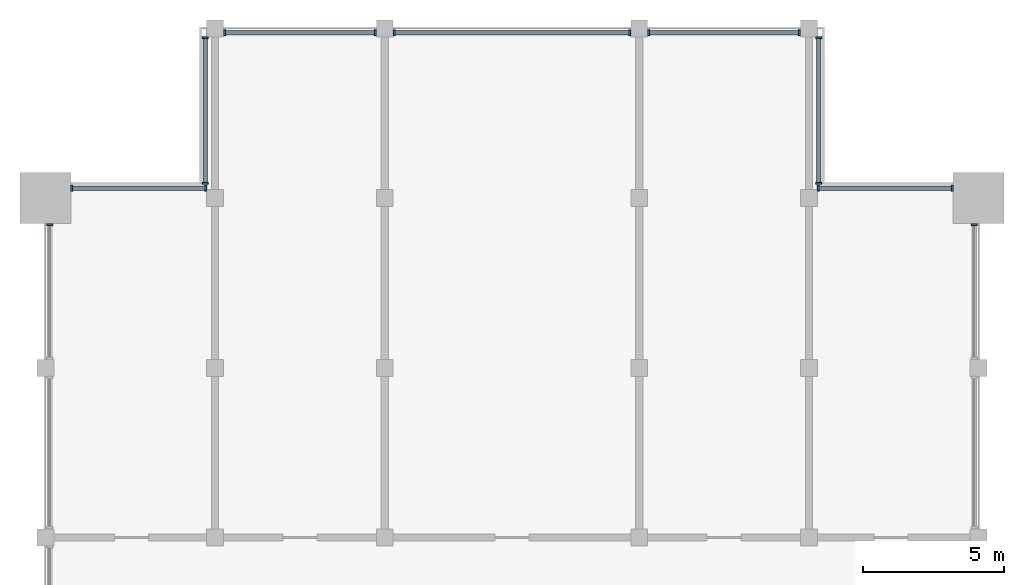
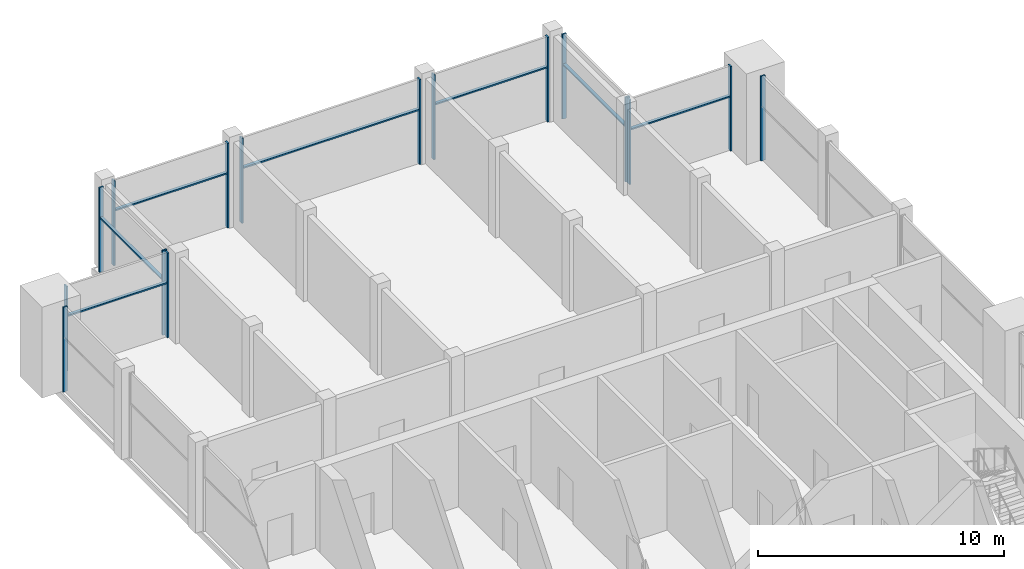
# One storey, part 5 of 9: 23 members, 9 elements without a shape of their own.
"""IFC4 building model written with IfcOpenShell, lengths in metres."""

from ifc_helpers import new_model, si_unit, direction, frame, origin, origin_2d, place, context, subcontext, project, spatial, rectangle, extrude, material, material_profile, profile_set, type_object, element, aggregate, save


model = new_model("IFC4")

# Units and contexts
model_context = context("Model", 3, precision=1e-05, world=origin(), true_north=direction((0.0, 1.0)))
body_context = subcontext(model_context, "Body", "Model", "MODEL_VIEW")
ifc_project = project(units=[si_unit("LENGTHUNIT", "METRE"), si_unit("AREAUNIT", "SQUARE_METRE"), si_unit("VOLUMEUNIT", "CUBIC_METRE"), si_unit("PLANEANGLEUNIT", "RADIAN"), si_unit("MASSUNIT", "GRAM", prefix="KILO")], contexts=[model_context])

# Site, building, storey
site_placement = place(None, origin())
site = spatial("IfcSite", under=ifc_project, at=site_placement, CompositionType="ELEMENT")
building_placement = place(site_placement, origin())
building = spatial("IfcBuilding", under=site, at=building_placement, Name="Finial Court Residences", CompositionType="ELEMENT")
storey_placement = place(building_placement, frame((0.0, 0.0, 303.199951171875)))
storey = spatial("IfcBuildingStorey", under=building, at=storey_placement, Name="L77", CompositionType="ELEMENT", Elevation=303.199951171875)

# Curtain wall, members
ifc_material = material(Name="Bronze anodised aluminium", Category="aluminium")
curtain_wall_type = type_object("IfcCurtainWallType", Name="Crown lantern glazing", PredefinedType="NOTDEFINED", material=ifc_material)
curtain_wall_1_placement = place(storey_placement, origin())
curtain_wall_1 = element("IfcCurtainWall", 1, at=curtain_wall_1_placement, inside=storey, type_object=curtain_wall_type, Name="E-L77-CW-N1c1", PredefinedType="NOTDEFINED")
ifc_material_profile_1 = material_profile(ifc_material, rectangle(XDim=0.199951171875, YDim=0.070068359375, at=origin_2d()), Name="CW6 mullion 70 x 200")
ifc_profile_set_1 = profile_set([ifc_material_profile_1], Name="Bronze anodised aluminium")
member_type_1 = type_object("IfcMemberType", Name="CW6 mullion 70 x 200", PredefinedType="MULLION", material=ifc_profile_set_1)
member_1_placement = place(storey_placement, frame((-10.1650390625, 13.35009765625, 0.0), z_axis=(0.0, 0.0, 1.0), x_axis=(0.0, 1.0, 0.0)))
member_1 = element("IfcMember", 2, at=member_1_placement, type_object=member_type_1, Name="CW6 mullion 1", PredefinedType="MULLION", context=body_context, shape_type="SweptSolid", body=[
    extrude(rectangle(XDim=0.199951171875, YDim=0.070068359375, at=origin_2d()), origin(), (0.0, 0.0, 1.0), 4.199951171875),
])
member_2_placement = place(storey_placement, frame((-4.8349609375, 13.35009765625, 0.0), z_axis=(0.0, 0.0, 1.0), x_axis=(0.0, 1.0, 0.0)))
member_2 = element("IfcMember", 3, at=member_2_placement, type_object=member_type_1, Name="CW6 mullion 2", PredefinedType="MULLION", context=body_context, shape_type="SweptSolid", body=[
    extrude(rectangle(XDim=0.199951171875, YDim=0.070068359375, at=origin_2d()), origin(), (0.0, 0.0, 1.0), 4.199951171875),
])

curtain_wall_2_placement = place(storey_placement, origin())
curtain_wall_2 = element("IfcCurtainWall", 4, at=curtain_wall_2_placement, inside=storey, type_object=curtain_wall_type, Name="E-L77-CW-N1c2", PredefinedType="NOTDEFINED")
member_3_placement = place(storey_placement, frame((-4.1650390625, 13.35009765625, 0.0), z_axis=(0.0, 0.0, 1.0), x_axis=(0.0, 1.0, 0.0)))
member_3 = element("IfcMember", 5, at=member_3_placement, type_object=member_type_1, Name="CW6 mullion 1", PredefinedType="MULLION", context=body_context, shape_type="SweptSolid", body=[
    extrude(rectangle(XDim=0.199951171875, YDim=0.070068359375, at=origin_2d()), origin(), (0.0, 0.0, 1.0), 4.199951171875),
])
member_4_placement = place(storey_placement, frame((4.1650390625, 13.35009765625, 0.0), z_axis=(0.0, 0.0, 1.0), x_axis=(0.0, 1.0, 0.0)))
member_4 = element("IfcMember", 6, at=member_4_placement, type_object=member_type_1, Name="CW6 mullion 2", PredefinedType="MULLION", context=body_context, shape_type="SweptSolid", body=[
    extrude(rectangle(XDim=0.199951171875, YDim=0.070068359375, at=origin_2d()), origin(), (0.0, 0.0, 1.0), 4.199951171875),
])

curtain_wall_3_placement = place(storey_placement, origin())
curtain_wall_3 = element("IfcCurtainWall", 7, at=curtain_wall_3_placement, inside=storey, type_object=curtain_wall_type, Name="E-L77-CW-N1c3", PredefinedType="NOTDEFINED")
member_5_placement = place(storey_placement, frame((4.8349609375, 13.35009765625, 0.0), z_axis=(0.0, 0.0, 1.0), x_axis=(0.0, 1.0, 0.0)))
member_5 = element("IfcMember", 8, at=member_5_placement, type_object=member_type_1, Name="CW6 mullion 1", PredefinedType="MULLION", context=body_context, shape_type="SweptSolid", body=[
    extrude(rectangle(XDim=0.199951171875, YDim=0.070068359375, at=origin_2d()), origin(), (0.0, 0.0, 1.0), 4.199951171875),
])
member_6_placement = place(storey_placement, frame((10.1650390625, 13.35009765625, 0.0), z_axis=(0.0, 0.0, 1.0), x_axis=(0.0, 1.0, 0.0)))
member_6 = element("IfcMember", 9, at=member_6_placement, type_object=member_type_1, Name="CW6 mullion 2", PredefinedType="MULLION", context=body_context, shape_type="SweptSolid", body=[
    extrude(rectangle(XDim=0.199951171875, YDim=0.070068359375, at=origin_2d()), origin(), (0.0, 0.0, 1.0), 4.199951171875),
])

# Curtain wall, member
curtain_wall_4_placement = place(storey_placement, origin())
curtain_wall_4 = element("IfcCurtainWall", 10, at=curtain_wall_4_placement, inside=storey, type_object=curtain_wall_type, Name="E-L77-CW-E2c4", PredefinedType="NOTDEFINED")
member_7_placement = place(storey_placement, frame((16.35009765625, 6.56494140625, 0.0), z_axis=(0.0, 0.0, 1.0), x_axis=(-1.0, 0.0, 0.0)))
member_7 = element("IfcMember", 11, at=member_7_placement, type_object=member_type_1, Name="CW6 mullion 2", PredefinedType="MULLION", context=body_context, shape_type="SweptSolid", body=[
    extrude(rectangle(XDim=0.199951171875, YDim=0.070068359375, at=origin_2d()), origin(), (0.0, 0.0, 1.0), 4.199951171875),
])
aggregate(curtain_wall_4, [member_7])

curtain_wall_5_placement = place(storey_placement, origin())
curtain_wall_5 = element("IfcCurtainWall", 12, at=curtain_wall_5_placement, inside=storey, type_object=curtain_wall_type, Name="E-L77-CW-W5c4", PredefinedType="NOTDEFINED")
member_8_placement = place(storey_placement, frame((-16.35009765625, 6.56494140625, 0.0), z_axis=(0.0, 0.0, 1.0), x_axis=(-1.0, 0.0, 0.0)))
member_8 = element("IfcMember", 13, at=member_8_placement, type_object=member_type_1, Name="CW6 mullion 2", PredefinedType="MULLION", context=body_context, shape_type="SweptSolid", body=[
    extrude(rectangle(XDim=0.199951171875, YDim=0.070068359375, at=origin_2d()), origin(), (0.0, 0.0, 1.0), 4.199951171875),
])
aggregate(curtain_wall_5, [member_8])

# Curtain wall, members
curtain_wall_6_placement = place(storey_placement, origin())
curtain_wall_6 = element("IfcCurtainWall", 14, at=curtain_wall_6_placement, inside=storey, type_object=curtain_wall_type, Name="E-L77-CW-W6nc1", PredefinedType="NOTDEFINED")
member_9_placement = place(storey_placement, frame((-10.85009765625, 8.034912109375, 0.0), z_axis=(0.0, 0.0, 1.0), x_axis=(-1.0, 0.0, 0.0)))
member_9 = element("IfcMember", 15, at=member_9_placement, type_object=member_type_1, Name="CW6 mullion 1", PredefinedType="MULLION", context=body_context, shape_type="SweptSolid", body=[
    extrude(rectangle(XDim=0.199951171875, YDim=0.070068359375, at=origin_2d()), origin(), (0.0, 0.0, 1.0), 4.199951171875),
])
member_10_placement = place(storey_placement, frame((-10.85009765625, 13.1650390625, 0.0), z_axis=(0.0, 0.0, 1.0), x_axis=(-1.0, 0.0, 0.0)))
member_10 = element("IfcMember", 16, at=member_10_placement, type_object=member_type_1, Name="CW6 mullion 2", PredefinedType="MULLION", context=body_context, shape_type="SweptSolid", body=[
    extrude(rectangle(XDim=0.199951171875, YDim=0.070068359375, at=origin_2d()), origin(), (0.0, 0.0, 1.0), 4.199951171875),
])

curtain_wall_7_placement = place(storey_placement, origin())
curtain_wall_7 = element("IfcCurtainWall", 17, at=curtain_wall_7_placement, inside=storey, type_object=curtain_wall_type, Name="E-L77-CW-N7nc1", PredefinedType="NOTDEFINED")
member_11_placement = place(storey_placement, frame((-15.56494140625, 7.85009765625, 0.0), z_axis=(0.0, 0.0, 1.0), x_axis=(0.0, 1.0, 0.0)))
member_11 = element("IfcMember", 18, at=member_11_placement, type_object=member_type_1, Name="CW6 mullion 1", PredefinedType="MULLION", context=body_context, shape_type="SweptSolid", body=[
    extrude(rectangle(XDim=0.199951171875, YDim=0.070068359375, at=origin_2d()), origin(), (0.0, 0.0, 1.0), 4.199951171875),
])
member_12_placement = place(storey_placement, frame((-10.8349609375, 7.85009765625, 0.0), z_axis=(0.0, 0.0, 1.0), x_axis=(0.0, 1.0, 0.0)))
member_12 = element("IfcMember", 19, at=member_12_placement, type_object=member_type_1, Name="CW6 mullion 2", PredefinedType="MULLION", context=body_context, shape_type="SweptSolid", body=[
    extrude(rectangle(XDim=0.199951171875, YDim=0.070068359375, at=origin_2d()), origin(), (0.0, 0.0, 1.0), 4.199951171875),
])

curtain_wall_8_placement = place(storey_placement, origin())
curtain_wall_8 = element("IfcCurtainWall", 20, at=curtain_wall_8_placement, inside=storey, type_object=curtain_wall_type, Name="E-L77-CW-E8nc1", PredefinedType="NOTDEFINED")
member_13_placement = place(storey_placement, frame((10.85009765625, 8.034912109375, 0.0), z_axis=(0.0, 0.0, 1.0), x_axis=(-1.0, 0.0, 0.0)))
member_13 = element("IfcMember", 21, at=member_13_placement, type_object=member_type_1, Name="CW6 mullion 1", PredefinedType="MULLION", context=body_context, shape_type="SweptSolid", body=[
    extrude(rectangle(XDim=0.199951171875, YDim=0.070068359375, at=origin_2d()), origin(), (0.0, 0.0, 1.0), 4.199951171875),
])
member_14_placement = place(storey_placement, frame((10.85009765625, 13.1650390625, 0.0), z_axis=(0.0, 0.0, 1.0), x_axis=(-1.0, 0.0, 0.0)))
member_14 = element("IfcMember", 22, at=member_14_placement, type_object=member_type_1, Name="CW6 mullion 2", PredefinedType="MULLION", context=body_context, shape_type="SweptSolid", body=[
    extrude(rectangle(XDim=0.199951171875, YDim=0.070068359375, at=origin_2d()), origin(), (0.0, 0.0, 1.0), 4.199951171875),
])

curtain_wall_9_placement = place(storey_placement, origin())
curtain_wall_9 = element("IfcCurtainWall", 23, at=curtain_wall_9_placement, inside=storey, type_object=curtain_wall_type, Name="E-L77-CW-N9nc1", PredefinedType="NOTDEFINED")
member_15_placement = place(storey_placement, frame((10.8349609375, 7.85009765625, 0.0), z_axis=(0.0, 0.0, 1.0), x_axis=(0.0, 1.0, 0.0)))
member_15 = element("IfcMember", 24, at=member_15_placement, type_object=member_type_1, Name="CW6 mullion 1", PredefinedType="MULLION", context=body_context, shape_type="SweptSolid", body=[
    extrude(rectangle(XDim=0.199951171875, YDim=0.070068359375, at=origin_2d()), origin(), (0.0, 0.0, 1.0), 4.199951171875),
])
member_16_placement = place(storey_placement, frame((15.56494140625, 7.85009765625, 0.0), z_axis=(0.0, 0.0, 1.0), x_axis=(0.0, 1.0, 0.0)))
member_16 = element("IfcMember", 25, at=member_16_placement, type_object=member_type_1, Name="CW6 mullion 2", PredefinedType="MULLION", context=body_context, shape_type="SweptSolid", body=[
    extrude(rectangle(XDim=0.199951171875, YDim=0.070068359375, at=origin_2d()), origin(), (0.0, 0.0, 1.0), 4.199951171875),
])

# Member
ifc_material_profile_2 = material_profile(ifc_material, rectangle(XDim=0.14990234375, YDim=0.070068359375, at=origin_2d()), Name="CW6 transom 70 x 150")
ifc_profile_set_2 = profile_set([ifc_material_profile_2], Name="Bronze anodised aluminium")
member_type_2 = type_object("IfcMemberType", Name="CW6 transom 70 x 150", PredefinedType="USERDEFINED", material=ifc_profile_set_2)
member_17_placement = place(storey_placement, frame((-10.1298828125, 13.35009765625, 2.699951171875), z_axis=(1.0, 0.0, 0.0), x_axis=(0.0, 1.0, 0.0)))
member_17 = element("IfcMember", 26, at=member_17_placement, type_object=member_type_2, Name="CW6 transom 1.1", ObjectType="TRANSOM", PredefinedType="USERDEFINED", context=body_context, shape_type="SweptSolid", body=[
    extrude(rectangle(XDim=0.14990234375, YDim=0.070068359375, at=origin_2d()), origin(), (0.0, 0.0, 1.0), 5.259765625),
])

aggregate(curtain_wall_1, [member_1, member_2, member_17])

member_18_placement = place(storey_placement, frame((-4.1298828125, 13.35009765625, 2.699951171875), z_axis=(1.0, 0.0, 0.0), x_axis=(0.0, 1.0, 0.0)))
member_18 = element("IfcMember", 27, at=member_18_placement, type_object=member_type_2, Name="CW6 transom 1.1", ObjectType="TRANSOM", PredefinedType="USERDEFINED", context=body_context, shape_type="SweptSolid", body=[
    extrude(rectangle(XDim=0.14990234375, YDim=0.070068359375, at=origin_2d()), origin(), (0.0, 0.0, 1.0), 8.259765625),
])

aggregate(curtain_wall_2, [member_3, member_4, member_18])

member_19_placement = place(storey_placement, frame((4.8701171875, 13.35009765625, 2.699951171875), z_axis=(1.0, 0.0, 0.0), x_axis=(0.0, 1.0, 0.0)))
member_19 = element("IfcMember", 28, at=member_19_placement, type_object=member_type_2, Name="CW6 transom 1.1", ObjectType="TRANSOM", PredefinedType="USERDEFINED", context=body_context, shape_type="SweptSolid", body=[
    extrude(rectangle(XDim=0.14990234375, YDim=0.070068359375, at=origin_2d()), origin(), (0.0, 0.0, 1.0), 5.259765625),
])

aggregate(curtain_wall_3, [member_5, member_6, member_19])

member_20_placement = place(storey_placement, frame((-10.85009765625, 8.070068359375, 2.699951171875), z_axis=(0.0, 1.0, 0.0), x_axis=(-1.0, 0.0, 0.0)))
member_20 = element("IfcMember", 29, at=member_20_placement, type_object=member_type_2, Name="CW6 transom 1.1", ObjectType="TRANSOM", PredefinedType="USERDEFINED", context=body_context, shape_type="SweptSolid", body=[
    extrude(rectangle(XDim=0.14990234375, YDim=0.070068359375, at=origin_2d()), origin(), (0.0, 0.0, 1.0), 5.059814453125),
])

aggregate(curtain_wall_6, [member_9, member_10, member_20])

member_21_placement = place(storey_placement, frame((-15.530029296875, 7.85009765625, 2.699951171875), z_axis=(1.0, 0.0, 0.0), x_axis=(0.0, 1.0, 0.0)))
member_21 = element("IfcMember", 30, at=member_21_placement, type_object=member_type_2, Name="CW6 transom 1.1", ObjectType="TRANSOM", PredefinedType="USERDEFINED", context=body_context, shape_type="SweptSolid", body=[
    extrude(rectangle(XDim=0.14990234375, YDim=0.070068359375, at=origin_2d()), origin(), (0.0, 0.0, 1.0), 4.659912109375),
])

aggregate(curtain_wall_7, [member_11, member_12, member_21])

member_22_placement = place(storey_placement, frame((10.85009765625, 8.070068359375, 2.699951171875), z_axis=(0.0, 1.0, 0.0), x_axis=(-1.0, 0.0, 0.0)))
member_22 = element("IfcMember", 31, at=member_22_placement, type_object=member_type_2, Name="CW6 transom 1.1", ObjectType="TRANSOM", PredefinedType="USERDEFINED", context=body_context, shape_type="SweptSolid", body=[
    extrude(rectangle(XDim=0.14990234375, YDim=0.070068359375, at=origin_2d()), origin(), (0.0, 0.0, 1.0), 5.059814453125),
])

aggregate(curtain_wall_8, [member_13, member_14, member_22])

member_23_placement = place(storey_placement, frame((10.8701171875, 7.85009765625, 2.699951171875), z_axis=(1.0, 0.0, 0.0), x_axis=(0.0, 1.0, 0.0)))
member_23 = element("IfcMember", 32, at=member_23_placement, type_object=member_type_2, Name="CW6 transom 1.1", ObjectType="TRANSOM", PredefinedType="USERDEFINED", context=body_context, shape_type="SweptSolid", body=[
    extrude(rectangle(XDim=0.14990234375, YDim=0.070068359375, at=origin_2d()), origin(), (0.0, 0.0, 1.0), 4.659912109375),
])

aggregate(curtain_wall_9, [member_15, member_16, member_23])

save(model, "model.ifc")
